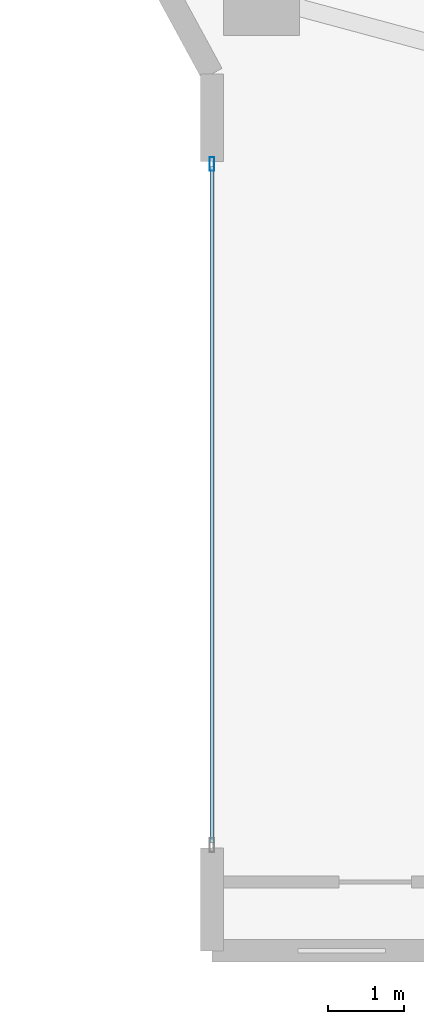
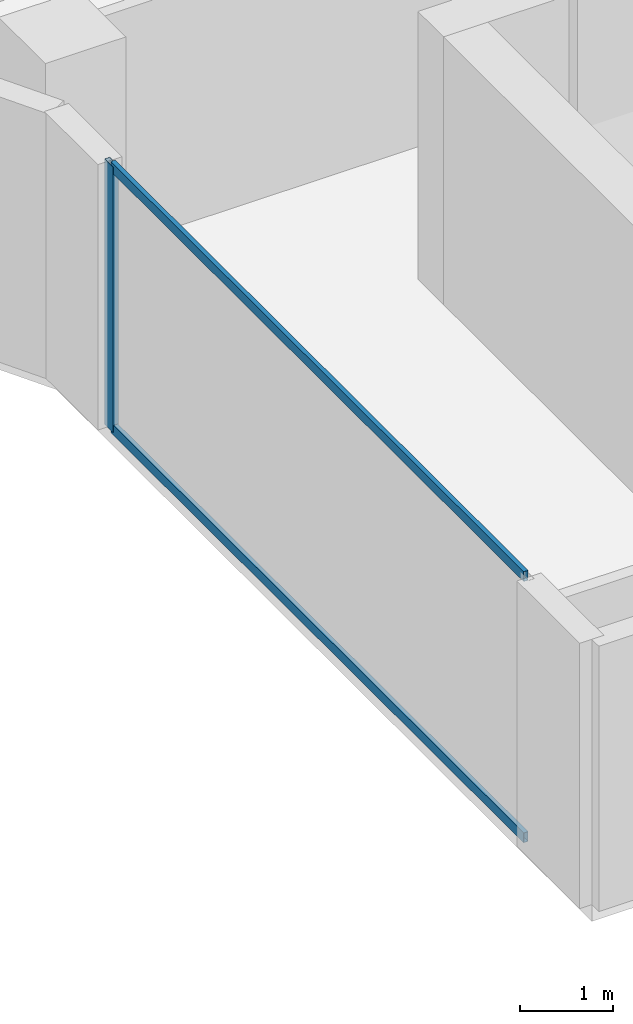
# One storey, part 3 of 24: 3 members, 1 element without a shape of its own.
"""IFC4 building model written with IfcOpenShell, lengths in metres."""

import ifcopenshell
import ifcopenshell.guid

model = None  # the IFC model being written
_history = None  # IfcOwnerHistory: only IFC2X3 demands one
_inside = {}  # id of a spatial element -> (the spatial element, [elements in it])
_under = {}  # id of a project, library or spatial element -> (it, [spatial elements below it])
_declared = {}  # id of a project -> (the project, [libraries it declares])
_typed = {}  # id of a type object -> (the type object, [elements of that type])
_made_of = {}  # id of a material, layer set ... -> (it, [elements and type objects made of it])


def new_model(schema):
    """Start an empty IFC model of exactly this schema.

    Asked for "IFC4X3", IfcOpenShell would pick the latest addendum, in which some entities
    have other attributes; the version numbers below select the first issue.
    IFC2X3 requires an IfcOwnerHistory on every rooted entity: one is made here for all.
    """
    global model, _history
    if schema == "IFC4X3":
        model = ifcopenshell.file(schema_version=(4, 3, 0, 0))
    else:
        model = ifcopenshell.file(schema=schema)
    _inside.clear()
    _under.clear()
    _declared.clear()
    _typed.clear()
    _made_of.clear()
    _history = None
    if model.schema == "IFC2X3":
        org = make("IfcOrganization", Name="unknown")
        user = make(
            "IfcPersonAndOrganization",
            ThePerson=make("IfcPerson", FamilyName="unknown"),
            TheOrganization=org,
        )
        app = make(
            "IfcApplication",
            ApplicationDeveloper=org,
            Version="unknown",
            ApplicationFullName="unknown",
            ApplicationIdentifier="unknown",
        )
        _history = make(
            "IfcOwnerHistory",
            OwningUser=user,
            OwningApplication=app,
            ChangeAction="ADDED",
            CreationDate=0,
        )
    return model


def make(cls, **values):
    """One entity of the class cls with the attributes given. An attribute that is None is left unset."""
    return model.create_entity(
        cls, **{name: value for name, value in values.items() if value is not None}
    )


def rooted(cls, **values):
    """An entity with a GlobalId (a new one), such as an element, a storey or a relation."""
    return make(cls, GlobalId=ifcopenshell.guid.new(), OwnerHistory=_history, **values)


def si_unit(unit_type, name, prefix=None):
    """IfcSIUnit, for example si_unit("LENGTHUNIT", "METRE", prefix="MILLI")."""
    return make("IfcSIUnit", UnitType=unit_type, Prefix=prefix, Name=name)


def assignment(units):
    """IfcUnitAssignment: the units of a project."""
    return None if units is None else make("IfcUnitAssignment", Units=units)


def point(xyz):
    """IfcCartesianPoint."""
    return None if xyz is None else make("IfcCartesianPoint", Coordinates=xyz)


def direction(xyz):
    """IfcDirection."""
    return None if xyz is None else make("IfcDirection", DirectionRatios=xyz)


def frame(location, z_axis=None, x_axis=None):
    """IfcAxis2Placement3D, a coordinate frame: its origin and axes. An axis left out is left unset."""
    return make(
        "IfcAxis2Placement3D",
        Location=point(location),
        Axis=direction(z_axis),
        RefDirection=direction(x_axis),
    )


def frame_2d(location, x_axis=None):
    """IfcAxis2Placement2D, a coordinate frame in the plane: its origin and x axis."""
    return make(
        "IfcAxis2Placement2D", Location=point(location), RefDirection=direction(x_axis)
    )


def origin():
    """The frame at (0, 0, 0) with its axes left unset."""
    return frame((0.0, 0.0, 0.0))


def origin_2d():
    """The frame at (0, 0) in the plane with its x axis left unset."""
    return frame_2d((0.0, 0.0))


def place(relative_to, where):
    """IfcLocalPlacement: puts the frame where relative to a parent placement (None: the world)."""
    return make(
        "IfcLocalPlacement", PlacementRelTo=relative_to, RelativePlacement=where
    )


def context(
    kind, dimensions, precision=None, world=None, true_north=None, identifier=None
):
    """IfcGeometricRepresentationContext, for example the 3D "Model" context."""
    return make(
        "IfcGeometricRepresentationContext",
        ContextIdentifier=identifier,
        ContextType=kind,
        CoordinateSpaceDimension=dimensions,
        Precision=precision,
        WorldCoordinateSystem=world,
        TrueNorth=true_north,
    )


def subcontext(parent, identifier, kind, view, scale=None):
    """IfcGeometricRepresentationSubContext, for example "Body" below "Model"."""
    return make(
        "IfcGeometricRepresentationSubContext",
        ContextIdentifier=identifier,
        ContextType=kind,
        ParentContext=parent,
        TargetScale=scale,
        TargetView=view,
    )


def project(units=None, contexts=None):
    """IfcProject with its units and contexts."""
    return rooted(
        "IfcProject",
        Name="project",
        RepresentationContexts=contexts,
        UnitsInContext=assignment(units),
    )


def spatial(cls, under=None, at=None, **own):
    """A site, building, storey or space (cls), placed at a placement, below another one or the project."""
    s = rooted(cls, ObjectPlacement=at, **own)
    if under is not None:
        _under.setdefault(under.id(), (under, []))[1].append(s)
    return s


def profile(cls, at=None, kind="AREA", **sizes):
    """A parametric profile (cls). Its sizes go by their IFC names, for example OverallWidth=200.0."""
    return make(cls, ProfileType=kind, Position=at, **sizes)


def hollow_rectangle(**sizes):
    """IfcRectangleHollowProfileDef."""
    return profile("IfcRectangleHollowProfileDef", **sizes)


def extrude(swept, where, along, depth):
    """IfcExtrudedAreaSolid: the profile swept, set in the frame where, extruded along a direction by depth."""
    return make(
        "IfcExtrudedAreaSolid",
        SweptArea=swept,
        Position=where,
        ExtrudedDirection=direction(along),
        Depth=depth,
    )


def shape(context_of_items, identifier, shape_type, items):
    """IfcShapeRepresentation: the items that make up one representation, for example the "Body"."""
    return make(
        "IfcShapeRepresentation",
        ContextOfItems=context_of_items,
        RepresentationIdentifier=identifier,
        RepresentationType=shape_type,
        Items=items,
    )


def material(Name=None, Category=None):
    """IfcMaterial."""
    return make("IfcMaterial", Name=Name, Category=Category)


def layer(
    of_material, thickness, ventilated=None, Name=None, Category=None, Priority=None
):
    """IfcMaterialLayer: one layer of a wall or slab, of a material (None: an air gap)."""
    return make(
        "IfcMaterialLayer",
        Material=of_material,
        LayerThickness=thickness,
        IsVentilated=ventilated,
        Name=Name,
        Category=Category,
        Priority=Priority,
    )


def layer_set(layers, Name=None):
    """IfcMaterialLayerSet."""
    return make("IfcMaterialLayerSet", MaterialLayers=layers, LayerSetName=Name)


def material_profile(
    of_material, cross_section, Name=None, Category=None, Priority=None
):
    """IfcMaterialProfile: a cross section and its material."""
    return make(
        "IfcMaterialProfile",
        Name=Name,
        Material=of_material,
        Profile=cross_section,
        Priority=Priority,
        Category=Category,
    )


def profile_set(profiles, Name=None, composite=None):
    """IfcMaterialProfileSet."""
    return make(
        "IfcMaterialProfileSet",
        Name=Name,
        MaterialProfiles=profiles,
        CompositeProfile=composite,
    )


def made_of(thing, what):
    """Note that an element or type object is made of a material, layer set ...; save() writes the relation."""
    if what is not None:
        _made_of.setdefault(what.id(), (what, []))[1].append(thing)
    return thing


def type_object(cls, material=None, **own):
    """A type object (cls), such as IfcWallType, which elements share."""
    return made_of(rooted(cls, **own), material)


def element(
    cls,
    number,
    at=None,
    inside=None,
    cuts=None,
    type_object=None,
    material=None,
    context=None,
    identifier="Body",
    shape_type=None,
    held_by="IfcProductDefinitionShape",
    body=None,
    shapes=None,
    **own,
):
    """One element of the class cls, such as IfcWall. Its Tag is "e" and its number.

    at: its placement. inside: the storey or other place that contains it. cuts: it is an
    opening in that element (IfcRelVoidsElement). A single representation is given by context,
    identifier, shape_type and body (its items); several are given by shapes. held_by: the class
    of the entity that holds the representations. save() writes the other relations.
    """
    e = rooted(cls, Tag="e%d" % number, ObjectPlacement=at, **own)
    if body is not None:
        shapes = [shape(context, identifier, shape_type, body)]
    if shapes is not None:
        e.Representation = make(held_by, Representations=shapes)
    if inside is not None:
        _inside.setdefault(inside.id(), (inside, []))[1].append(e)
    if cuts is not None:
        rooted(
            "IfcRelVoidsElement", RelatingBuildingElement=cuts, RelatedOpeningElement=e
        )
    if type_object is not None:
        _typed.setdefault(type_object.id(), (type_object, []))[1].append(e)
    return made_of(e, material)


def aggregate(whole, parts):
    """IfcRelAggregates: a whole, such as a stair, and the parts it consists of."""
    return rooted("IfcRelAggregates", RelatingObject=whole, RelatedObjects=parts)


def save(model, path):
    """Write the relations noted so far, then the file.

    IfcRelAggregates (storeys below a building ...), IfcRelContainedInSpatialStructure (elements
    in a storey), IfcRelDefinesByType, IfcRelAssociatesMaterial and IfcRelDeclares: one each for
    every whole, place, type object, material and project.
    """
    for whole, parts in _under.values():
        aggregate(whole, parts)
    for where, things in _inside.values():
        rooted(
            "IfcRelContainedInSpatialStructure",
            RelatedElements=things,
            RelatingStructure=where,
        )
    for kind, things in _typed.values():
        rooted("IfcRelDefinesByType", RelatedObjects=things, RelatingType=kind)
    for what, things in _made_of.values():
        rooted("IfcRelAssociatesMaterial", RelatedObjects=things, RelatingMaterial=what)
    for by, libraries in _declared.values():
        rooted("IfcRelDeclares", RelatingContext=by, RelatedDefinitions=libraries)
    model.write(path)


model = new_model("IFC4")

# Units and contexts
model_context = context("Model", 3, precision=1e-05, world=origin(), true_north=direction((0.0, 1.0)))
body_context = subcontext(model_context, "Body", "Model", "MODEL_VIEW")
ifc_project = project(units=[si_unit("LENGTHUNIT", "METRE"), si_unit("AREAUNIT", "SQUARE_METRE"), si_unit("VOLUMEUNIT", "CUBIC_METRE"), si_unit("PLANEANGLEUNIT", "RADIAN"), si_unit("MASSUNIT", "GRAM", prefix="KILO")], contexts=[model_context])

# Site, building, storey
site_placement = place(None, origin())
site = spatial("IfcSite", under=ifc_project, at=site_placement, CompositionType="ELEMENT")
building_placement = place(site_placement, origin())
building = spatial("IfcBuilding", under=site, at=building_placement, Name="Zuhayl Quay Hotel", CompositionType="ELEMENT")
storey_placement = place(building_placement, frame((0.0, 0.0, 269.25)))
storey = spatial("IfcBuildingStorey", under=building, at=storey_placement, Name="L68", CompositionType="ELEMENT", Elevation=269.25)

# Curtain wall, members
ifc_material_1 = material(Name="Anodised Aluminium 6063-T6", Category="aluminium")
ifc_layer = layer(ifc_material_1, 0.169921875, Name="Anodised Aluminium 6063-T6", Category="aluminium")
ifc_layer_set = layer_set([ifc_layer], Name="Anodised Aluminium 6063-T6")
curtain_wall_type = type_object("IfcCurtainWallType", Name="CW_SYS_Z4", PredefinedType="USERDEFINED", material=ifc_layer_set)
curtain_wall_placement = place(storey_placement, origin())
curtain_wall = element("IfcCurtainWall", 1, at=curtain_wall_placement, inside=storey, type_object=curtain_wall_type, Name="L68 Curtain Wall ENV_L68_E02_CW1", ObjectType="UNITISED CURTAIN WALL", PredefinedType="USERDEFINED")
ifc_material_2 = material(Name="Black-anodised aluminium 6063-T6", Category="aluminium")
ifc_material_profile_1 = material_profile(ifc_material_2, hollow_rectangle(XDim=0.06494140625, YDim=0.179931640625, WallThickness=0.00341796875, at=origin_2d()), Name="ALU180X65")
ifc_profile_set_1 = profile_set([ifc_material_profile_1], Name="Black-anodised aluminium 6063-T6")
member_type_1 = type_object("IfcMemberType", Name="MB_CW_MUL_180", PredefinedType="MULLION", material=ifc_profile_set_1)
member_1_placement = place(storey_placement, frame((-20.199951171875, 13.717529296875, 0.0), z_axis=(0.0, 0.0, 1.0), x_axis=(-1.0, 0.0, 0.0)))
member_1 = element("IfcMember", 2, at=member_1_placement, type_object=member_type_1, Name="CW-Z4 mullion 2", PredefinedType="MULLION", context=body_context, shape_type="SweptSolid", body=[
    extrude(hollow_rectangle(XDim=0.06494140625, YDim=0.179931640625, WallThickness=0.00341796875, at=origin_2d()), origin(), (0.0, 0.0, 1.0), 3.47998046875),
])
ifc_material_profile_2 = material_profile(ifc_material_2, hollow_rectangle(XDim=0.054931640625, YDim=0.1298828125, WallThickness=0.0029296875, at=origin_2d()), Name="ALU130X55")
ifc_profile_set_2 = profile_set([ifc_material_profile_2], Name="Black-anodised aluminium 6063-T6")
member_type_2 = type_object("IfcMemberType", Name="MB_CW_TRN_130", PredefinedType="USERDEFINED", material=ifc_profile_set_2)
member_2_placement = place(storey_placement, frame((-20.199951171875, 4.81494140625, 0.027587890625), z_axis=(0.0, 1.0, 0.0), x_axis=(-1.0, 0.0, 0.0)))
member_2 = element("IfcMember", 3, at=member_2_placement, type_object=member_type_2, Name="CW-Z4 transom 1.1", ObjectType="TRANSOM", PredefinedType="USERDEFINED", context=body_context, shape_type="SweptSolid", body=[
    extrude(hollow_rectangle(XDim=0.054931640625, YDim=0.1298828125, WallThickness=0.0029296875, at=origin_2d()), origin(), (0.0, 0.0, 1.0), 8.8701171875),
])
member_3_placement = place(storey_placement, frame((-20.199951171875, 4.81494140625, 3.452392578125), z_axis=(0.0, 1.0, 0.0), x_axis=(-1.0, 0.0, 0.0)))
member_3 = element("IfcMember", 4, at=member_3_placement, type_object=member_type_2, Name="CW-Z4 transom 1.2", ObjectType="TRANSOM", PredefinedType="USERDEFINED", context=body_context, shape_type="SweptSolid", body=[
    extrude(hollow_rectangle(XDim=0.054931640625, YDim=0.1298828125, WallThickness=0.0029296875, at=origin_2d()), origin(), (0.0, 0.0, 1.0), 8.8701171875),
])
aggregate(curtain_wall, [member_1, member_2, member_3])

save(model, "model.ifc")
